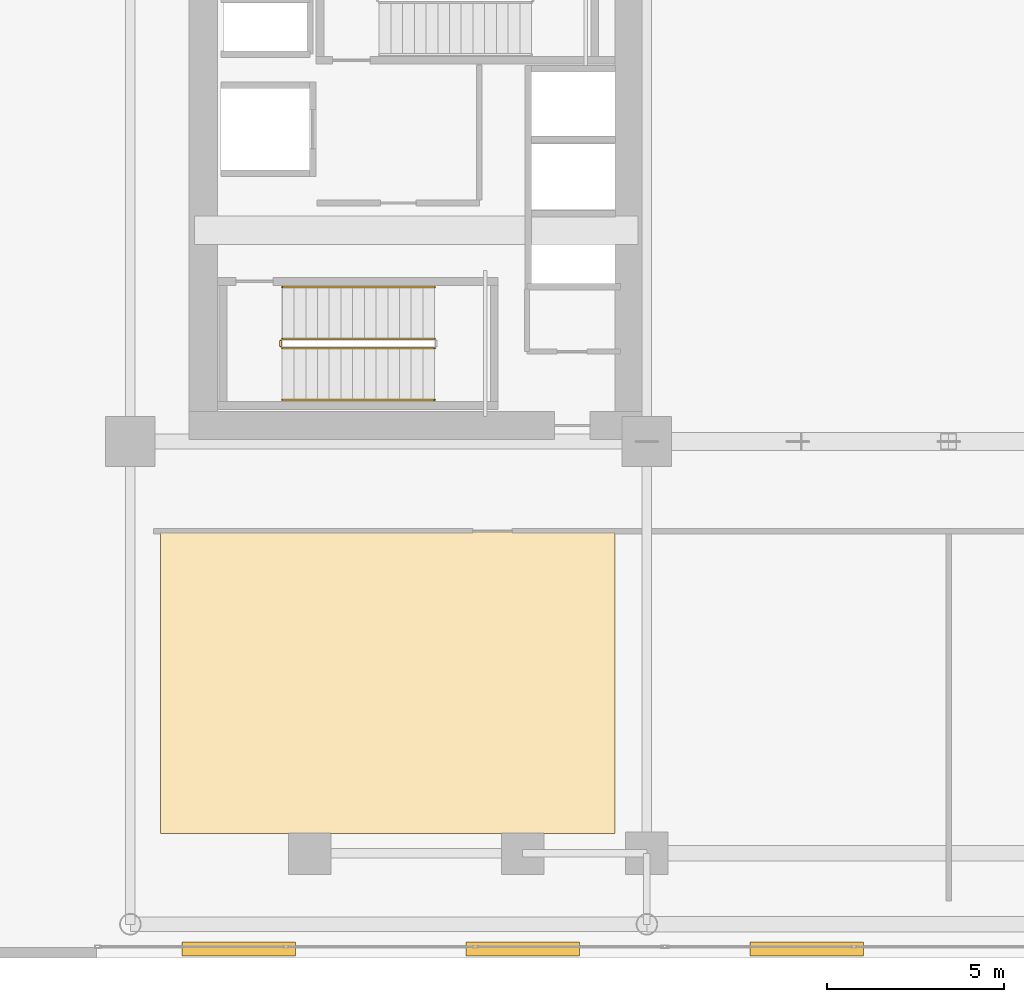
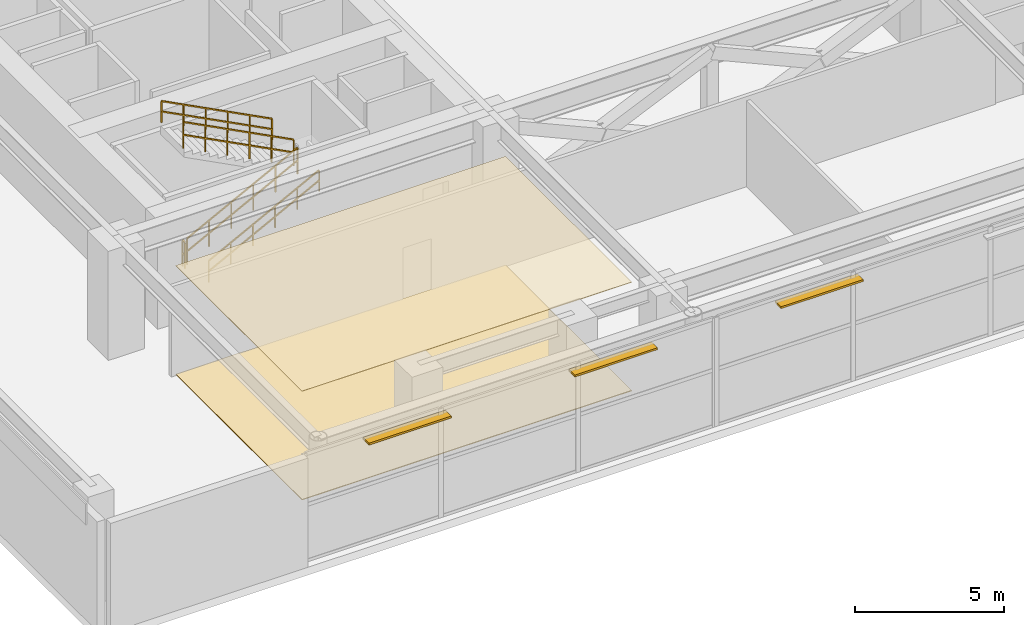
# One storey, part 23 of 28: 5 railings, 3 shading devices, 2 coverings.
"""IFC4 building model written with IfcOpenShell, lengths in metres."""

import ifcopenshell
import ifcopenshell.guid

model = None  # the IFC model being written
_history = None  # IfcOwnerHistory: only IFC2X3 demands one
_inside = {}  # id of a spatial element -> (the spatial element, [elements in it])
_under = {}  # id of a project, library or spatial element -> (it, [spatial elements below it])
_declared = {}  # id of a project -> (the project, [libraries it declares])
_typed = {}  # id of a type object -> (the type object, [elements of that type])
_made_of = {}  # id of a material, layer set ... -> (it, [elements and type objects made of it])


def new_model(schema):
    """Start an empty IFC model of exactly this schema.

    Asked for "IFC4X3", IfcOpenShell would pick the latest addendum, in which some entities
    have other attributes; the version numbers below select the first issue.
    IFC2X3 requires an IfcOwnerHistory on every rooted entity: one is made here for all.
    """
    global model, _history
    if schema == "IFC4X3":
        model = ifcopenshell.file(schema_version=(4, 3, 0, 0))
    else:
        model = ifcopenshell.file(schema=schema)
    _inside.clear()
    _under.clear()
    _declared.clear()
    _typed.clear()
    _made_of.clear()
    _history = None
    if model.schema == "IFC2X3":
        org = make("IfcOrganization", Name="unknown")
        user = make(
            "IfcPersonAndOrganization",
            ThePerson=make("IfcPerson", FamilyName="unknown"),
            TheOrganization=org,
        )
        app = make(
            "IfcApplication",
            ApplicationDeveloper=org,
            Version="unknown",
            ApplicationFullName="unknown",
            ApplicationIdentifier="unknown",
        )
        _history = make(
            "IfcOwnerHistory",
            OwningUser=user,
            OwningApplication=app,
            ChangeAction="ADDED",
            CreationDate=0,
        )
    return model


def make(cls, **values):
    """One entity of the class cls with the attributes given. An attribute that is None is left unset."""
    return model.create_entity(
        cls, **{name: value for name, value in values.items() if value is not None}
    )


def rooted(cls, **values):
    """An entity with a GlobalId (a new one), such as an element, a storey or a relation."""
    return make(cls, GlobalId=ifcopenshell.guid.new(), OwnerHistory=_history, **values)


def si_unit(unit_type, name, prefix=None):
    """IfcSIUnit, for example si_unit("LENGTHUNIT", "METRE", prefix="MILLI")."""
    return make("IfcSIUnit", UnitType=unit_type, Prefix=prefix, Name=name)


def assignment(units):
    """IfcUnitAssignment: the units of a project."""
    return None if units is None else make("IfcUnitAssignment", Units=units)


def point(xyz):
    """IfcCartesianPoint."""
    return None if xyz is None else make("IfcCartesianPoint", Coordinates=xyz)


def direction(xyz):
    """IfcDirection."""
    return None if xyz is None else make("IfcDirection", DirectionRatios=xyz)


def frame(location, z_axis=None, x_axis=None):
    """IfcAxis2Placement3D, a coordinate frame: its origin and axes. An axis left out is left unset."""
    return make(
        "IfcAxis2Placement3D",
        Location=point(location),
        Axis=direction(z_axis),
        RefDirection=direction(x_axis),
    )


def frame_2d(location, x_axis=None):
    """IfcAxis2Placement2D, a coordinate frame in the plane: its origin and x axis."""
    return make(
        "IfcAxis2Placement2D", Location=point(location), RefDirection=direction(x_axis)
    )


def origin():
    """The frame at (0, 0, 0) with its axes left unset."""
    return frame((0.0, 0.0, 0.0))


def origin_2d():
    """The frame at (0, 0) in the plane with its x axis left unset."""
    return frame_2d((0.0, 0.0))


def place(relative_to, where):
    """IfcLocalPlacement: puts the frame where relative to a parent placement (None: the world)."""
    return make(
        "IfcLocalPlacement", PlacementRelTo=relative_to, RelativePlacement=where
    )


def context(
    kind, dimensions, precision=None, world=None, true_north=None, identifier=None
):
    """IfcGeometricRepresentationContext, for example the 3D "Model" context."""
    return make(
        "IfcGeometricRepresentationContext",
        ContextIdentifier=identifier,
        ContextType=kind,
        CoordinateSpaceDimension=dimensions,
        Precision=precision,
        WorldCoordinateSystem=world,
        TrueNorth=true_north,
    )


def subcontext(parent, identifier, kind, view, scale=None):
    """IfcGeometricRepresentationSubContext, for example "Body" below "Model"."""
    return make(
        "IfcGeometricRepresentationSubContext",
        ContextIdentifier=identifier,
        ContextType=kind,
        ParentContext=parent,
        TargetScale=scale,
        TargetView=view,
    )


def project(units=None, contexts=None):
    """IfcProject with its units and contexts."""
    return rooted(
        "IfcProject",
        Name="project",
        RepresentationContexts=contexts,
        UnitsInContext=assignment(units),
    )


def spatial(cls, under=None, at=None, **own):
    """A site, building, storey or space (cls), placed at a placement, below another one or the project."""
    s = rooted(cls, ObjectPlacement=at, **own)
    if under is not None:
        _under.setdefault(under.id(), (under, []))[1].append(s)
    return s


def polyline(points):
    """IfcPolyline through the points."""
    return make("IfcPolyline", Points=[point(p) for p in points])


def profile(cls, at=None, kind="AREA", **sizes):
    """A parametric profile (cls). Its sizes go by their IFC names, for example OverallWidth=200.0."""
    return make(cls, ProfileType=kind, Position=at, **sizes)


def rectangle(**sizes):
    """IfcRectangleProfileDef."""
    return profile("IfcRectangleProfileDef", **sizes)


def outline(outer, holes=None, kind="AREA"):
    """IfcArbitraryClosedProfileDef: a profile drawn as a closed curve; with holes, ...WithVoids."""
    if holes is None:
        return make("IfcArbitraryClosedProfileDef", ProfileType=kind, OuterCurve=outer)
    return make(
        "IfcArbitraryProfileDefWithVoids",
        ProfileType=kind,
        OuterCurve=outer,
        InnerCurves=holes,
    )


def extrude(swept, where, along, depth):
    """IfcExtrudedAreaSolid: the profile swept, set in the frame where, extruded along a direction by depth."""
    return make(
        "IfcExtrudedAreaSolid",
        SweptArea=swept,
        Position=where,
        ExtrudedDirection=direction(along),
        Depth=depth,
    )


def shape(context_of_items, identifier, shape_type, items):
    """IfcShapeRepresentation: the items that make up one representation, for example the "Body"."""
    return make(
        "IfcShapeRepresentation",
        ContextOfItems=context_of_items,
        RepresentationIdentifier=identifier,
        RepresentationType=shape_type,
        Items=items,
    )


def source(mapping_origin, context_of_items, identifier, shape_type, items):
    """IfcRepresentationMap: a shape defined once, which mapped items show again and again."""
    return make(
        "IfcRepresentationMap",
        MappingOrigin=mapping_origin,
        MappedRepresentation=shape(context_of_items, identifier, shape_type, items),
    )


def transform(
    local_origin,
    x_axis=None,
    y_axis=None,
    z_axis=None,
    scale=None,
    scale2=None,
    scale3=None,
    uniform=True,
):
    """IfcCartesianTransformationOperator3D, or its non-uniform kind. x_axis, y_axis, z_axis: its Axis1, 2, 3."""
    if uniform:
        return make(
            "IfcCartesianTransformationOperator3D",
            Axis1=direction(x_axis),
            Axis2=direction(y_axis),
            LocalOrigin=point(local_origin),
            Scale=scale,
            Axis3=direction(z_axis),
        )
    return make(
        "IfcCartesianTransformationOperator3DnonUniform",
        Axis1=direction(x_axis),
        Axis2=direction(y_axis),
        LocalOrigin=point(local_origin),
        Scale=scale,
        Axis3=direction(z_axis),
        Scale2=scale2,
        Scale3=scale3,
    )


def mapped(mapping_source, mapping_target):
    """IfcMappedItem: shows the shape of a source again, moved by a transform."""
    return make(
        "IfcMappedItem", MappingSource=mapping_source, MappingTarget=mapping_target
    )


def material(Name=None, Category=None):
    """IfcMaterial."""
    return make("IfcMaterial", Name=Name, Category=Category)


def layer(
    of_material, thickness, ventilated=None, Name=None, Category=None, Priority=None
):
    """IfcMaterialLayer: one layer of a wall or slab, of a material (None: an air gap)."""
    return make(
        "IfcMaterialLayer",
        Material=of_material,
        LayerThickness=thickness,
        IsVentilated=ventilated,
        Name=Name,
        Category=Category,
        Priority=Priority,
    )


def layer_set(layers, Name=None):
    """IfcMaterialLayerSet."""
    return make("IfcMaterialLayerSet", MaterialLayers=layers, LayerSetName=Name)


def made_of(thing, what):
    """Note that an element or type object is made of a material, layer set ...; save() writes the relation."""
    if what is not None:
        _made_of.setdefault(what.id(), (what, []))[1].append(thing)
    return thing


def type_object(cls, material=None, **own):
    """A type object (cls), such as IfcWallType, which elements share."""
    return made_of(rooted(cls, **own), material)


def element(
    cls,
    number,
    at=None,
    inside=None,
    cuts=None,
    type_object=None,
    material=None,
    context=None,
    identifier="Body",
    shape_type=None,
    held_by="IfcProductDefinitionShape",
    body=None,
    shapes=None,
    **own,
):
    """One element of the class cls, such as IfcWall. Its Tag is "e" and its number.

    at: its placement. inside: the storey or other place that contains it. cuts: it is an
    opening in that element (IfcRelVoidsElement). A single representation is given by context,
    identifier, shape_type and body (its items); several are given by shapes. held_by: the class
    of the entity that holds the representations. save() writes the other relations.
    """
    e = rooted(cls, Tag="e%d" % number, ObjectPlacement=at, **own)
    if body is not None:
        shapes = [shape(context, identifier, shape_type, body)]
    if shapes is not None:
        e.Representation = make(held_by, Representations=shapes)
    if inside is not None:
        _inside.setdefault(inside.id(), (inside, []))[1].append(e)
    if cuts is not None:
        rooted(
            "IfcRelVoidsElement", RelatingBuildingElement=cuts, RelatedOpeningElement=e
        )
    if type_object is not None:
        _typed.setdefault(type_object.id(), (type_object, []))[1].append(e)
    return made_of(e, material)


def aggregate(whole, parts):
    """IfcRelAggregates: a whole, such as a stair, and the parts it consists of."""
    return rooted("IfcRelAggregates", RelatingObject=whole, RelatedObjects=parts)


def save(model, path):
    """Write the relations noted so far, then the file.

    IfcRelAggregates (storeys below a building ...), IfcRelContainedInSpatialStructure (elements
    in a storey), IfcRelDefinesByType, IfcRelAssociatesMaterial and IfcRelDeclares: one each for
    every whole, place, type object, material and project.
    """
    for whole, parts in _under.values():
        aggregate(whole, parts)
    for where, things in _inside.values():
        rooted(
            "IfcRelContainedInSpatialStructure",
            RelatedElements=things,
            RelatingStructure=where,
        )
    for kind, things in _typed.values():
        rooted("IfcRelDefinesByType", RelatedObjects=things, RelatingType=kind)
    for what, things in _made_of.values():
        rooted("IfcRelAssociatesMaterial", RelatedObjects=things, RelatingMaterial=what)
    for by, libraries in _declared.values():
        rooted("IfcRelDeclares", RelatingContext=by, RelatedDefinitions=libraries)
    model.write(path)


model = new_model("IFC4")

# Units and contexts
model_context = context("Model", 3, precision=1e-05, world=origin(), true_north=direction((0.0, 1.0)))
body_context = subcontext(model_context, "Body", "Model", "MODEL_VIEW")
ifc_project = project(units=[si_unit("LENGTHUNIT", "METRE"), si_unit("AREAUNIT", "SQUARE_METRE"), si_unit("VOLUMEUNIT", "CUBIC_METRE"), si_unit("PLANEANGLEUNIT", "RADIAN"), si_unit("MASSUNIT", "GRAM", prefix="KILO")], contexts=[model_context])

# Site, building, storey
site_placement = place(None, origin())
site = spatial("IfcSite", under=ifc_project, at=site_placement, CompositionType="ELEMENT")
building_placement = place(site_placement, origin())
building = spatial("IfcBuilding", under=site, at=building_placement, Name="Ocotamira Hotel", CompositionType="ELEMENT")
storey_placement = place(building_placement, frame((0.0, 0.0, 24.0)))
storey = spatial("IfcBuildingStorey", under=building, at=storey_placement, Name="L05", CompositionType="ELEMENT", Elevation=24.0)

# Coverings
ifc_material_1 = material(Name="Perforated acoustic gypsum ceiling board", Category="gypsum")
ifc_layer_1 = layer(ifc_material_1, 0.02490234375)
ifc_layer_set_1 = layer_set([ifc_layer_1], Name="Perforated acoustic gypsum ceiling board")
covering_type_1 = type_object("IfcCoveringType", Name="COV-CEIL-25", PredefinedType="CEILING", material=ifc_layer_set_1)
covering_1_placement = place(storey_placement, frame((0.0, 0.0, 4.455078125)))
element("IfcCovering", 1, at=covering_1_placement, inside=storey, type_object=covering_type_1, Name="L05 Acoustic Ceiling", PredefinedType="CEILING", context=body_context, shape_type="SweptSolid", body=[
    extrude(outline(polyline([(9.800048828125, 3.5), (22.60009765625, 3.5), (22.60009765625, 12.0), (9.800048828125, 12.0), (9.800048828125, 3.5)])), origin(), (0.0, 0.0, 1.0), 0.02490234375),
])
ifc_material_2 = material(Name="Honed desert travertine stone flooring", Category="masonry")
ifc_layer_2 = layer(ifc_material_2, 0.030029296875)
ifc_layer_set_2 = layer_set([ifc_layer_2], Name="Honed desert travertine stone flooring")
covering_type_2 = type_object("IfcCoveringType", Name="COV-FLOR-30", PredefinedType="FLOORING", material=ifc_layer_set_2)
covering_2_placement = place(storey_placement, origin())
element("IfcCovering", 2, at=covering_2_placement, inside=storey, type_object=covering_type_2, Name="L05 Honed Stone Floor Finish", PredefinedType="FLOORING", context=body_context, shape_type="SweptSolid", body=[
    extrude(outline(polyline([(9.800048828125, 3.5), (22.60009765625, 3.5), (22.60009765625, 12.0), (9.800048828125, 12.0), (9.800048828125, 3.5)])), origin(), (0.0, 0.0, 1.0), 0.030029296875),
])

# Railings
ifc_material_3 = material(Name="Brushed stainless steel handrail", Category="steel")
railing_type_1 = type_object("IfcRailingType", Name="RL-HAND-900", PredefinedType="HANDRAIL", material=ifc_material_3)
railing_1_placement = place(storey_placement, frame((13.22998046875, 15.719970703125, 0.3427734375)))
element("IfcRailing", 3, at=railing_1_placement, inside=storey, type_object=railing_type_1, Name="L05 ST-1 stair handrail 1", PredefinedType="HANDRAIL", context=body_context, shape_type="SweptSolid", body=[
    extrude(rectangle(XDim=0.048095703125, YDim=0.048095703125, at=origin_2d()), frame((0.0, 0.0, 0.8759765625), z_axis=(0.887391199149, 0.0, 0.46101720106), x_axis=(0.0, 1.0, 0.0)), (0.0, 0.0, 1.0), 4.83447265625),
    extrude(rectangle(XDim=0.048095703125, YDim=0.048095703125, at=origin_2d()), frame((0.0, 0.0, 0.449951171875), z_axis=(0.887391199149, 0.0, 0.46101720106), x_axis=(0.0, 1.0, 0.0)), (0.0, 0.0, 1.0), 4.83447265625),
    extrude(rectangle(XDim=0.0419921875, YDim=0.0419921875, at=origin_2d()), origin(), (0.0, 0.0, 1.0), 0.851806640625),
    extrude(rectangle(XDim=0.0419921875, YDim=0.0419921875, at=origin_2d()), frame((0.85791015625, 0.0, 0.44580078125)), (0.0, 0.0, 1.0), 0.851806640625),
    extrude(rectangle(XDim=0.0419921875, YDim=0.0419921875, at=origin_2d()), frame((1.716064453125, 0.0, 0.8916015625)), (0.0, 0.0, 1.0), 0.851806640625),
    extrude(rectangle(XDim=0.0419921875, YDim=0.0419921875, at=origin_2d()), frame((2.573974609375, 0.0, 1.337158203125)), (0.0, 0.0, 1.0), 0.851806640625),
    extrude(rectangle(XDim=0.0419921875, YDim=0.0419921875, at=origin_2d()), frame((3.43212890625, 0.0, 1.782958984375)), (0.0, 0.0, 1.0), 0.851806640625),
    extrude(rectangle(XDim=0.0419921875, YDim=0.0419921875, at=origin_2d()), frame((4.2900390625, 0.0, 2.228759765625)), (0.0, 0.0, 1.0), 0.851806640625),
])
railing_2_placement = place(storey_placement, frame((17.52001953125, 18.89990234375, 2.742919921875)))
element("IfcRailing", 4, at=railing_2_placement, inside=storey, type_object=railing_type_1, Name="L05 ST-1 stair handrail 2", PredefinedType="HANDRAIL", context=body_context, shape_type="SweptSolid", body=[
    extrude(rectangle(XDim=0.048095703125, YDim=0.048095703125, at=origin_2d()), frame((0.0, 0.0, 0.8759765625), z_axis=(-0.887411858541, 0.0, 0.46097743255), x_axis=(0.0, -1.0, 0.0)), (0.0, 0.0, 1.0), 4.834228515625),
    extrude(rectangle(XDim=0.048095703125, YDim=0.048095703125, at=origin_2d()), frame((0.0, 0.0, 0.449951171875), z_axis=(-0.887411858541, 0.0, 0.46097743255), x_axis=(0.0, -1.0, 0.0)), (0.0, 0.0, 1.0), 4.834228515625),
    extrude(rectangle(XDim=0.0419921875, YDim=0.0419921875, at=origin_2d()), origin(), (0.0, 0.0, 1.0), 0.851806640625),
    extrude(rectangle(XDim=0.0419921875, YDim=0.0419921875, at=origin_2d()), frame((-0.85791015625, 0.0, 0.44580078125)), (0.0, 0.0, 1.0), 0.851806640625),
    extrude(rectangle(XDim=0.0419921875, YDim=0.0419921875, at=origin_2d()), frame((-1.716064453125, 0.0, 0.891357421875)), (0.0, 0.0, 1.0), 0.851806640625),
    extrude(rectangle(XDim=0.0419921875, YDim=0.0419921875, at=origin_2d()), frame((-2.573974609375, 0.0, 1.337158203125)), (0.0, 0.0, 1.0), 0.851806640625),
    extrude(rectangle(XDim=0.0419921875, YDim=0.0419921875, at=origin_2d()), frame((-3.43212890625, 0.0, 1.78271484375)), (0.0, 0.0, 1.0), 0.851806640625),
    extrude(rectangle(XDim=0.0419921875, YDim=0.0419921875, at=origin_2d()), frame((-4.2900390625, 0.0, 2.228515625)), (0.0, 0.0, 1.0), 0.851806640625),
])
ifc_material_4 = material(Name="Painted steel stair guardrail", Category="steel")
railing_type_2 = type_object("IfcRailingType", Name="RL-STAIR-1100", PredefinedType="GUARDRAIL", material=ifc_material_4)
railing_3_placement = place(storey_placement, frame((13.22998046875, 17.179931640625, 0.17138671875)))
element("IfcRailing", 5, at=railing_3_placement, inside=storey, type_object=railing_type_2, Name="L05 ST-1 stair guard 1", PredefinedType="GUARDRAIL", context=body_context, shape_type="SweptSolid", body=[
    extrude(rectangle(XDim=0.048095703125, YDim=0.048095703125, at=origin_2d()), frame((0.0, 0.0, 1.076171875), z_axis=(0.887411858541, 0.0, 0.46097743255), x_axis=(0.0, 1.0, 0.0)), (0.0, 0.0, 1.0), 4.834228515625),
    extrude(rectangle(XDim=0.048095703125, YDim=0.048095703125, at=origin_2d()), frame((0.0, 0.0, 0.550048828125), z_axis=(0.887411858541, 0.0, 0.46097743255), x_axis=(0.0, 1.0, 0.0)), (0.0, 0.0, 1.0), 4.834228515625),
    extrude(rectangle(XDim=0.0419921875, YDim=0.0419921875, at=origin_2d()), origin(), (0.0, 0.0, 1.0), 1.052001953125),
    extrude(rectangle(XDim=0.0419921875, YDim=0.0419921875, at=origin_2d()), frame((0.85791015625, 0.0, 0.44580078125)), (0.0, 0.0, 1.0), 1.052001953125),
    extrude(rectangle(XDim=0.0419921875, YDim=0.0419921875, at=origin_2d()), frame((1.716064453125, 0.0, 0.891357421875)), (0.0, 0.0, 1.0), 1.052001953125),
    extrude(rectangle(XDim=0.0419921875, YDim=0.0419921875, at=origin_2d()), frame((2.573974609375, 0.0, 1.337158203125)), (0.0, 0.0, 1.0), 1.052001953125),
    extrude(rectangle(XDim=0.0419921875, YDim=0.0419921875, at=origin_2d()), frame((3.43212890625, 0.0, 1.78271484375)), (0.0, 0.0, 1.0), 1.052001953125),
    extrude(rectangle(XDim=0.0419921875, YDim=0.0419921875, at=origin_2d()), frame((4.2900390625, 0.0, 2.228515625)), (0.0, 0.0, 1.0), 1.052001953125),
])
railing_4_placement = place(storey_placement, frame((17.52001953125, 17.43994140625, 2.571533203125)))
element("IfcRailing", 6, at=railing_4_placement, inside=storey, type_object=railing_type_2, Name="L05 ST-1 stair guard 3", PredefinedType="GUARDRAIL", context=body_context, shape_type="SweptSolid", body=[
    extrude(rectangle(XDim=0.048095703125, YDim=0.048095703125, at=origin_2d()), frame((0.0, 0.0, 1.076171875), z_axis=(-0.887411858541, 0.0, 0.46097743255), x_axis=(0.0, -1.0, 0.0)), (0.0, 0.0, 1.0), 4.834228515625),
    extrude(rectangle(XDim=0.048095703125, YDim=0.048095703125, at=origin_2d()), frame((0.0, 0.0, 0.550048828125), z_axis=(-0.887411858541, 0.0, 0.46097743255), x_axis=(0.0, -1.0, 0.0)), (0.0, 0.0, 1.0), 4.834228515625),
    extrude(rectangle(XDim=0.0419921875, YDim=0.0419921875, at=origin_2d()), origin(), (0.0, 0.0, 1.0), 1.052001953125),
    extrude(rectangle(XDim=0.0419921875, YDim=0.0419921875, at=origin_2d()), frame((-0.85791015625, 0.0, 0.44580078125)), (0.0, 0.0, 1.0), 1.052001953125),
    extrude(rectangle(XDim=0.0419921875, YDim=0.0419921875, at=origin_2d()), frame((-1.716064453125, 0.0, 0.891357421875)), (0.0, 0.0, 1.0), 1.052001953125),
    extrude(rectangle(XDim=0.0419921875, YDim=0.0419921875, at=origin_2d()), frame((-2.573974609375, 0.0, 1.337158203125)), (0.0, 0.0, 1.0), 1.052001953125),
    extrude(rectangle(XDim=0.0419921875, YDim=0.0419921875, at=origin_2d()), frame((-3.43212890625, 0.0, 1.78271484375)), (0.0, 0.0, 1.0), 1.052001953125),
    extrude(rectangle(XDim=0.0419921875, YDim=0.0419921875, at=origin_2d()), frame((-4.2900390625, 0.0, 2.228515625)), (0.0, 0.0, 1.0), 1.052001953125),
])
railing_5_placement = place(storey_placement, frame((13.179931640625, 17.22998046875, 0.0)))
element("IfcRailing", 7, at=railing_5_placement, inside=storey, type_object=railing_type_2, Name="L05 ST-1 stair guard 4", PredefinedType="GUARDRAIL", context=body_context, shape_type="SweptSolid", body=[
    extrude(rectangle(XDim=0.048095703125, YDim=0.048095703125, at=origin_2d()), frame((0.0, 0.0, 1.076171875), z_axis=(0.0, 1.0, 0.0), x_axis=(-1.0, 0.0, 0.0)), (0.0, 0.0, 1.0), 0.159912109375),
    extrude(rectangle(XDim=0.048095703125, YDim=0.048095703125, at=origin_2d()), frame((0.0, 0.0, 0.550048828125), z_axis=(0.0, 1.0, 0.0), x_axis=(-1.0, 0.0, 0.0)), (0.0, 0.0, 1.0), 0.159912109375),
    extrude(rectangle(XDim=0.0419921875, YDim=0.0419921875, at=origin_2d()), origin(), (0.0, 0.0, 1.0), 1.052001953125),
    extrude(rectangle(XDim=0.0419921875, YDim=0.0419921875, at=origin_2d()), frame((0.0, 0.159912109375, 0.0)), (0.0, 0.0, 1.0), 1.052001953125),
])

# Shading devices
ifc_material_5 = material(Name="Pale-metal anodised aluminium solar louvre", Category="aluminium")
shading_device_type = type_object("IfcShadingDeviceType", Name="SHD-LOUV-400", PredefinedType="JALOUSIE", material=ifc_material_5)
shared_shape = source(origin(), body_context, "Body", "SweptSolid", [
    extrude(rectangle(XDim=3.199951171875, YDim=0.39990234375, at=origin_2d()), origin(), (0.0, 0.0, 1.0), 0.080078125),
])
for number, where, z_axis, x_axis, name in (
    (8, (12.0, 0.25, 4.139892578125), (0.0, 0.0, 1.0), (1.0, 0.0, 0.0), "L05 Podium Solar Louvre S1"),
    (9, (20.0, 0.25, 4.139892578125), (0.0, 0.0, 1.0), (1.0, 0.0, 0.0), "L05 Podium Solar Louvre S2"),
    (10, (28.0, 0.25, 4.139892578125), (0.0, 0.0, 1.0), (1.0, 0.0, 0.0), "L05 Podium Solar Louvre S3"),
):
    element("IfcShadingDevice", number, at=place(storey_placement, frame(where, z_axis=z_axis, x_axis=x_axis)), inside=storey, type_object=shading_device_type, Name=name, PredefinedType="JALOUSIE", context=body_context, shape_type="MappedRepresentation", body=[
        mapped(shared_shape, transform((0.0, 0.0, 0.0), scale=1.0)),
    ])

save(model, "model.ifc")
